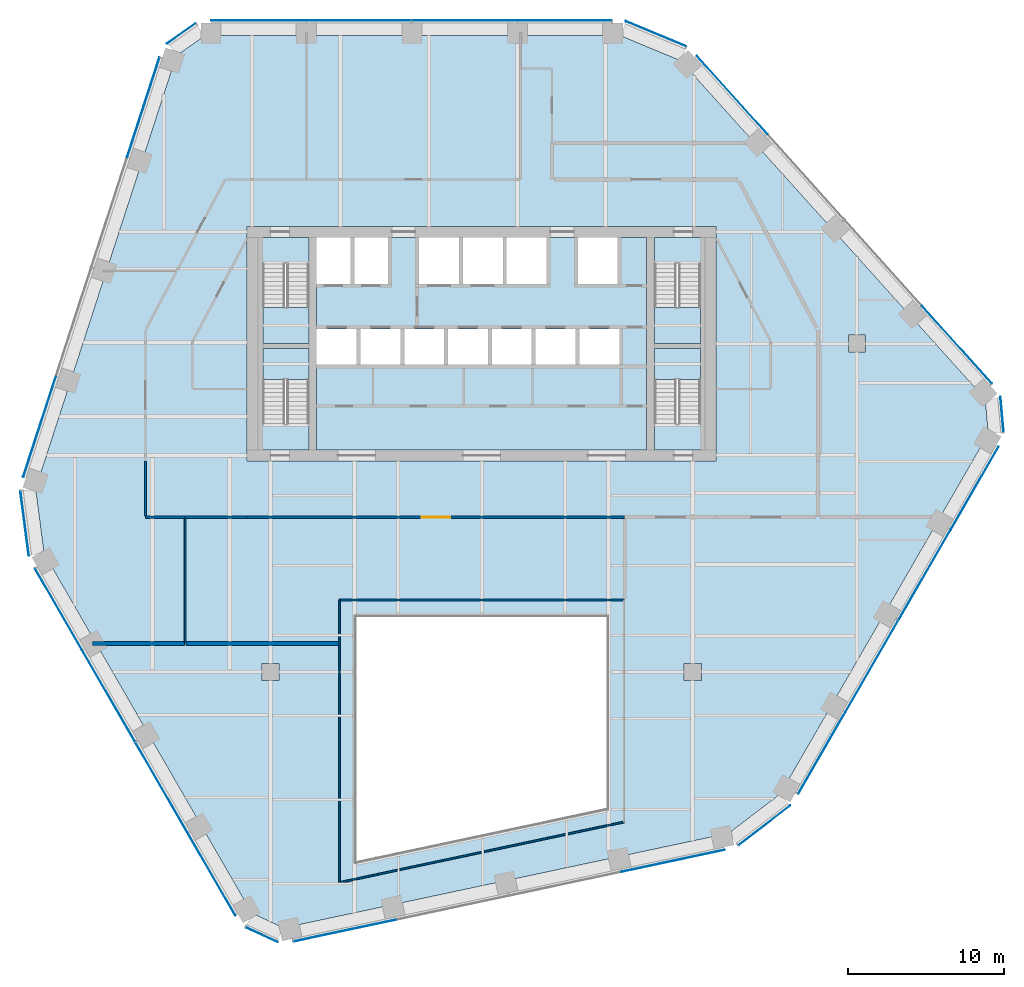
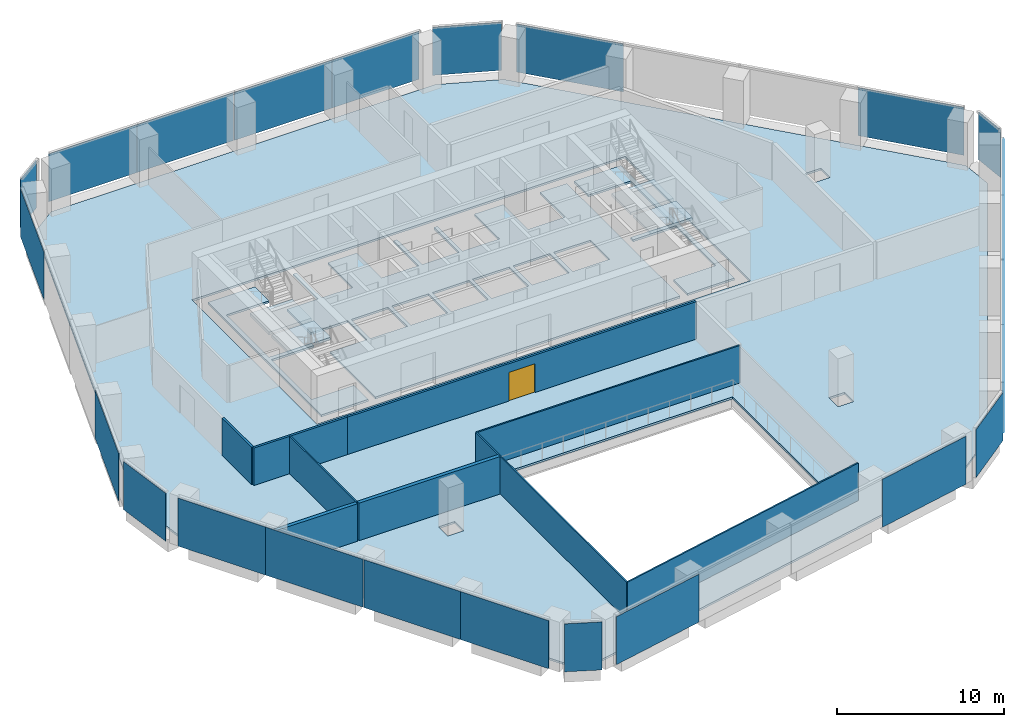
# One storey, part 10 of 16: 24 plates, 10 walls, 8 slabs, 1 door, 1 opening, 16 elements without a shape of their own.
"""IFC4 building model written with IfcOpenShell, lengths in metres."""

import ifcopenshell
import ifcopenshell.guid

model = None  # the IFC model being written
_history = None  # IfcOwnerHistory: only IFC2X3 demands one
_inside = {}  # id of a spatial element -> (the spatial element, [elements in it])
_under = {}  # id of a project, library or spatial element -> (it, [spatial elements below it])
_declared = {}  # id of a project -> (the project, [libraries it declares])
_typed = {}  # id of a type object -> (the type object, [elements of that type])
_made_of = {}  # id of a material, layer set ... -> (it, [elements and type objects made of it])


def new_model(schema):
    """Start an empty IFC model of exactly this schema.

    Asked for "IFC4X3", IfcOpenShell would pick the latest addendum, in which some entities
    have other attributes; the version numbers below select the first issue.
    IFC2X3 requires an IfcOwnerHistory on every rooted entity: one is made here for all.
    """
    global model, _history
    if schema == "IFC4X3":
        model = ifcopenshell.file(schema_version=(4, 3, 0, 0))
    else:
        model = ifcopenshell.file(schema=schema)
    _inside.clear()
    _under.clear()
    _declared.clear()
    _typed.clear()
    _made_of.clear()
    _history = None
    if model.schema == "IFC2X3":
        org = make("IfcOrganization", Name="unknown")
        user = make(
            "IfcPersonAndOrganization",
            ThePerson=make("IfcPerson", FamilyName="unknown"),
            TheOrganization=org,
        )
        app = make(
            "IfcApplication",
            ApplicationDeveloper=org,
            Version="unknown",
            ApplicationFullName="unknown",
            ApplicationIdentifier="unknown",
        )
        _history = make(
            "IfcOwnerHistory",
            OwningUser=user,
            OwningApplication=app,
            ChangeAction="ADDED",
            CreationDate=0,
        )
    return model


def make(cls, **values):
    """One entity of the class cls with the attributes given. An attribute that is None is left unset."""
    return model.create_entity(
        cls, **{name: value for name, value in values.items() if value is not None}
    )


def rooted(cls, **values):
    """An entity with a GlobalId (a new one), such as an element, a storey or a relation."""
    return make(cls, GlobalId=ifcopenshell.guid.new(), OwnerHistory=_history, **values)


def si_unit(unit_type, name, prefix=None):
    """IfcSIUnit, for example si_unit("LENGTHUNIT", "METRE", prefix="MILLI")."""
    return make("IfcSIUnit", UnitType=unit_type, Prefix=prefix, Name=name)


def assignment(units):
    """IfcUnitAssignment: the units of a project."""
    return None if units is None else make("IfcUnitAssignment", Units=units)


def point(xyz):
    """IfcCartesianPoint."""
    return None if xyz is None else make("IfcCartesianPoint", Coordinates=xyz)


def direction(xyz):
    """IfcDirection."""
    return None if xyz is None else make("IfcDirection", DirectionRatios=xyz)


def frame(location, z_axis=None, x_axis=None):
    """IfcAxis2Placement3D, a coordinate frame: its origin and axes. An axis left out is left unset."""
    return make(
        "IfcAxis2Placement3D",
        Location=point(location),
        Axis=direction(z_axis),
        RefDirection=direction(x_axis),
    )


def frame_2d(location, x_axis=None):
    """IfcAxis2Placement2D, a coordinate frame in the plane: its origin and x axis."""
    return make(
        "IfcAxis2Placement2D", Location=point(location), RefDirection=direction(x_axis)
    )


def origin():
    """The frame at (0, 0, 0) with its axes left unset."""
    return frame((0.0, 0.0, 0.0))


def origin_2d():
    """The frame at (0, 0) in the plane with its x axis left unset."""
    return frame_2d((0.0, 0.0))


def place(relative_to, where):
    """IfcLocalPlacement: puts the frame where relative to a parent placement (None: the world)."""
    return make(
        "IfcLocalPlacement", PlacementRelTo=relative_to, RelativePlacement=where
    )


def context(
    kind, dimensions, precision=None, world=None, true_north=None, identifier=None
):
    """IfcGeometricRepresentationContext, for example the 3D "Model" context."""
    return make(
        "IfcGeometricRepresentationContext",
        ContextIdentifier=identifier,
        ContextType=kind,
        CoordinateSpaceDimension=dimensions,
        Precision=precision,
        WorldCoordinateSystem=world,
        TrueNorth=true_north,
    )


def subcontext(parent, identifier, kind, view, scale=None):
    """IfcGeometricRepresentationSubContext, for example "Body" below "Model"."""
    return make(
        "IfcGeometricRepresentationSubContext",
        ContextIdentifier=identifier,
        ContextType=kind,
        ParentContext=parent,
        TargetScale=scale,
        TargetView=view,
    )


def project(units=None, contexts=None):
    """IfcProject with its units and contexts."""
    return rooted(
        "IfcProject",
        Name="project",
        RepresentationContexts=contexts,
        UnitsInContext=assignment(units),
    )


def spatial(cls, under=None, at=None, **own):
    """A site, building, storey or space (cls), placed at a placement, below another one or the project."""
    s = rooted(cls, ObjectPlacement=at, **own)
    if under is not None:
        _under.setdefault(under.id(), (under, []))[1].append(s)
    return s


def polyline(points):
    """IfcPolyline through the points."""
    return make("IfcPolyline", Points=[point(p) for p in points])


def profile(cls, at=None, kind="AREA", **sizes):
    """A parametric profile (cls). Its sizes go by their IFC names, for example OverallWidth=200.0."""
    return make(cls, ProfileType=kind, Position=at, **sizes)


def rectangle(**sizes):
    """IfcRectangleProfileDef."""
    return profile("IfcRectangleProfileDef", **sizes)


def outline(outer, holes=None, kind="AREA"):
    """IfcArbitraryClosedProfileDef: a profile drawn as a closed curve; with holes, ...WithVoids."""
    if holes is None:
        return make("IfcArbitraryClosedProfileDef", ProfileType=kind, OuterCurve=outer)
    return make(
        "IfcArbitraryProfileDefWithVoids",
        ProfileType=kind,
        OuterCurve=outer,
        InnerCurves=holes,
    )


def extrude(swept, where, along, depth):
    """IfcExtrudedAreaSolid: the profile swept, set in the frame where, extruded along a direction by depth."""
    return make(
        "IfcExtrudedAreaSolid",
        SweptArea=swept,
        Position=where,
        ExtrudedDirection=direction(along),
        Depth=depth,
    )


def shape(context_of_items, identifier, shape_type, items):
    """IfcShapeRepresentation: the items that make up one representation, for example the "Body"."""
    return make(
        "IfcShapeRepresentation",
        ContextOfItems=context_of_items,
        RepresentationIdentifier=identifier,
        RepresentationType=shape_type,
        Items=items,
    )


def material(Name=None, Category=None):
    """IfcMaterial."""
    return make("IfcMaterial", Name=Name, Category=Category)


def layer(
    of_material, thickness, ventilated=None, Name=None, Category=None, Priority=None
):
    """IfcMaterialLayer: one layer of a wall or slab, of a material (None: an air gap)."""
    return make(
        "IfcMaterialLayer",
        Material=of_material,
        LayerThickness=thickness,
        IsVentilated=ventilated,
        Name=Name,
        Category=Category,
        Priority=Priority,
    )


def layer_set(layers, Name=None):
    """IfcMaterialLayerSet."""
    return make("IfcMaterialLayerSet", MaterialLayers=layers, LayerSetName=Name)


def made_of(thing, what):
    """Note that an element or type object is made of a material, layer set ...; save() writes the relation."""
    if what is not None:
        _made_of.setdefault(what.id(), (what, []))[1].append(thing)
    return thing


def type_object(cls, material=None, **own):
    """A type object (cls), such as IfcWallType, which elements share."""
    return made_of(rooted(cls, **own), material)


def element(
    cls,
    number,
    at=None,
    inside=None,
    cuts=None,
    type_object=None,
    material=None,
    context=None,
    identifier="Body",
    shape_type=None,
    held_by="IfcProductDefinitionShape",
    body=None,
    shapes=None,
    **own,
):
    """One element of the class cls, such as IfcWall. Its Tag is "e" and its number.

    at: its placement. inside: the storey or other place that contains it. cuts: it is an
    opening in that element (IfcRelVoidsElement). A single representation is given by context,
    identifier, shape_type and body (its items); several are given by shapes. held_by: the class
    of the entity that holds the representations. save() writes the other relations.
    """
    e = rooted(cls, Tag="e%d" % number, ObjectPlacement=at, **own)
    if body is not None:
        shapes = [shape(context, identifier, shape_type, body)]
    if shapes is not None:
        e.Representation = make(held_by, Representations=shapes)
    if inside is not None:
        _inside.setdefault(inside.id(), (inside, []))[1].append(e)
    if cuts is not None:
        rooted(
            "IfcRelVoidsElement", RelatingBuildingElement=cuts, RelatedOpeningElement=e
        )
    if type_object is not None:
        _typed.setdefault(type_object.id(), (type_object, []))[1].append(e)
    return made_of(e, material)


def fill(opening, filler):
    """IfcRelFillsElement: the door or window that sits in an opening."""
    return rooted(
        "IfcRelFillsElement",
        RelatingOpeningElement=opening,
        RelatedBuildingElement=filler,
    )


def aggregate(whole, parts):
    """IfcRelAggregates: a whole, such as a stair, and the parts it consists of."""
    return rooted("IfcRelAggregates", RelatingObject=whole, RelatedObjects=parts)


def save(model, path):
    """Write the relations noted so far, then the file.

    IfcRelAggregates (storeys below a building ...), IfcRelContainedInSpatialStructure (elements
    in a storey), IfcRelDefinesByType, IfcRelAssociatesMaterial and IfcRelDeclares: one each for
    every whole, place, type object, material and project.
    """
    for whole, parts in _under.values():
        aggregate(whole, parts)
    for where, things in _inside.values():
        rooted(
            "IfcRelContainedInSpatialStructure",
            RelatedElements=things,
            RelatingStructure=where,
        )
    for kind, things in _typed.values():
        rooted("IfcRelDefinesByType", RelatedObjects=things, RelatingType=kind)
    for what, things in _made_of.values():
        rooted("IfcRelAssociatesMaterial", RelatedObjects=things, RelatingMaterial=what)
    for by, libraries in _declared.values():
        rooted("IfcRelDeclares", RelatingContext=by, RelatedDefinitions=libraries)
    model.write(path)


model = new_model("IFC4")

# Units and contexts
model_context = context("Model", 3, precision=1e-05, world=origin(), true_north=direction((0.0, 1.0)))
body_context = subcontext(model_context, "Body", "Model", "MODEL_VIEW")
ifc_project = project(units=[si_unit("LENGTHUNIT", "METRE"), si_unit("AREAUNIT", "SQUARE_METRE"), si_unit("VOLUMEUNIT", "CUBIC_METRE"), si_unit("PLANEANGLEUNIT", "RADIAN"), si_unit("MASSUNIT", "GRAM", prefix="KILO")], contexts=[model_context])

# Site, building, storey
site_placement = place(None, origin())
site = spatial("IfcSite", under=ifc_project, at=site_placement, CompositionType="ELEMENT")
building_placement = place(site_placement, origin())
building = spatial("IfcBuilding", under=site, at=building_placement, Name="Isthmus Gate Tower", CompositionType="ELEMENT")
storey_placement = place(building_placement, frame((0.0, 0.0, 170.800048828125)))
storey = spatial("IfcBuildingStorey", under=building, at=storey_placement, Name="L42", CompositionType="ELEMENT", Elevation=170.800048828125)

# Slabs
ifc_material_1 = material(Name="Concrete f'c 40 MPa", Category="concrete")
ifc_layer_1 = layer(ifc_material_1, 0.14990234375)
ifc_layer_set_1 = layer_set([ifc_layer_1], Name="COMPOSITE FLOOR SLAB 150")
slab_type_1 = type_object("IfcSlabType", Name="COMPOSITE FLOOR SLAB 150", PredefinedType="FLOOR", material=ifc_layer_set_1)
slab_1_placement = place(storey_placement, frame((0.0, 0.0, -0.150146484375)))
element("IfcSlab", 1, at=slab_1_placement, inside=storey, type_object=slab_type_1, Name="str-slab-L42-1", PredefinedType="FLOOR", context=body_context, shape_type="SweptSolid", body=[
    extrude(outline(polyline([(12.72802734375, 25.599365234375), (32.21044921875, 3.9619140625), (32.410400390625, 1.736083984375), (19.116455078125, -21.289306640625), (15.8056640625, -23.822509765625), (-12.674072265625, -29.876220703125), (-14.701416015625, -28.936279296875), (-27.995361328125, -5.91064453125), (-28.53369140625, -1.77685546875), (-19.536376953125, 25.9140625), (-17.708740234375, 27.199951171875), (8.87890625, 27.199951171875), (12.72802734375, 25.599365234375)]), holes=[polyline([(-8.0, -10.0), (-8.0, -25.611083984375), (8.0, -22.210205078125), (8.0, -10.0), (-8.0, -10.0)]), polyline([(-14.050048828125, -12.949951171875), (-14.050048828125, -14.050048828125), (-12.949951171875, -14.050048828125), (-12.949951171875, -12.949951171875), (-14.050048828125, -12.949951171875)]), polyline([(14.050048828125, -12.949951171875), (12.949951171875, -12.949951171875), (12.949951171875, -14.050048828125), (14.050048828125, -14.050048828125), (14.050048828125, -12.949951171875)]), polyline([(-15.0, 15.0), (-15.0, 0.0), (15.0, 0.0), (15.0, 15.0), (-15.0, 15.0)]), polyline([(24.550048828125, 6.949951171875), (24.550048828125, 8.050048828125), (23.449951171875, 8.050048828125), (23.449951171875, 6.949951171875), (24.550048828125, 6.949951171875)])]), origin(), (0.0, 0.0, 1.0), 0.150146484375),
])
ifc_material_2 = material(Name="Concrete f'c 40 MPa", Category="concrete")
ifc_layer_2 = layer(ifc_material_2, 0.14990234375)
ifc_layer_set_2 = layer_set([ifc_layer_2], Name="CORE FLOOR SLAB 150")
slab_type_2 = type_object("IfcSlabType", Name="CORE FLOOR SLAB 150", PredefinedType="FLOOR", material=ifc_layer_set_2)
slab_2_placement = place(storey_placement, frame((0.0, 0.0, -0.150146484375)))
element("IfcSlab", 2, at=slab_2_placement, inside=storey, type_object=slab_type_2, Name="L42 core floor", PredefinedType="FLOOR", context=body_context, shape_type="SweptSolid", body=[
    extrude(outline(polyline([(-11.050048828125, 0.699951171875), (-11.050048828125, 2.402099609375), (-14.0, 2.402099609375), (-14.0, 7.199951171875), (-11.050048828125, 7.199951171875), (-11.050048828125, 7.5), (-14.0, 7.5), (-14.0, 12.597900390625), (-11.050048828125, 12.597900390625), (-11.050048828125, 14.300048828125), (-14.300048828125, 14.300048828125), (-14.300048828125, 0.699951171875), (-11.050048828125, 0.699951171875)])), origin(), (0.0, 0.0, 1.0), 0.150146484375),
])
slab_3_placement = place(storey_placement, frame((0.0, 0.0, -0.150146484375)))
element("IfcSlab", 3, at=slab_3_placement, inside=storey, type_object=slab_type_2, Name="L42 core floor", PredefinedType="FLOOR", context=body_context, shape_type="SweptSolid", body=[
    extrude(outline(polyline([(10.550048828125, 14.300048828125), (8.699951171875, 14.300048828125), (8.699951171875, 11.300048828125), (6.14990234375, 11.300048828125), (6.14990234375, 14.300048828125), (4.14990234375, 14.300048828125), (4.14990234375, 11.300048828125), (1.60009765625, 11.300048828125), (1.60009765625, 14.300048828125), (1.35009765625, 14.300048828125), (1.35009765625, 11.300048828125), (-1.199951171875, 11.300048828125), (-1.199951171875, 14.300048828125), (-1.449951171875, 14.300048828125), (-1.449951171875, 11.300048828125), (-4.0, 11.300048828125), (-4.0, 14.300048828125), (-6.0, 14.300048828125), (-6.0, 11.300048828125), (-8.14990234375, 11.300048828125), (-8.14990234375, 14.300048828125), (-8.39990234375, 14.300048828125), (-8.39990234375, 11.300048828125), (-10.550048828125, 11.300048828125), (-10.550048828125, 8.449951171875), (-8.0, 8.449951171875), (-8.0, 6.14990234375), (-10.550048828125, 6.14990234375), (-10.550048828125, 0.699951171875), (10.550048828125, 0.699951171875), (10.550048828125, 14.300048828125)]), holes=[polyline([(-5.199951171875, 8.449951171875), (-5.199951171875, 6.14990234375), (-7.75, 6.14990234375), (-7.75, 8.449951171875), (-5.199951171875, 8.449951171875)]), polyline([(-2.39990234375, 8.449951171875), (-2.39990234375, 6.14990234375), (-4.949951171875, 6.14990234375), (-4.949951171875, 8.449951171875), (-2.39990234375, 8.449951171875)]), polyline([(0.39990234375, 8.449951171875), (0.39990234375, 6.14990234375), (-2.14990234375, 6.14990234375), (-2.14990234375, 8.449951171875), (0.39990234375, 8.449951171875)]), polyline([(3.199951171875, 8.449951171875), (3.199951171875, 6.14990234375), (0.64990234375, 6.14990234375), (0.64990234375, 8.449951171875), (3.199951171875, 8.449951171875)]), polyline([(6.0, 8.449951171875), (6.0, 6.14990234375), (3.449951171875, 6.14990234375), (3.449951171875, 8.449951171875), (6.0, 8.449951171875)]), polyline([(8.800048828125, 8.449951171875), (8.800048828125, 6.14990234375), (6.25, 6.14990234375), (6.25, 8.449951171875), (8.800048828125, 8.449951171875)])]), origin(), (0.0, 0.0, 1.0), 0.150146484375),
])
slab_4_placement = place(storey_placement, frame((0.0, 0.0, -0.150146484375)))
element("IfcSlab", 4, at=slab_4_placement, inside=storey, type_object=slab_type_2, Name="L42 core floor", PredefinedType="FLOOR", context=body_context, shape_type="SweptSolid", body=[
    extrude(outline(polyline([(11.050048828125, 14.300048828125), (11.050048828125, 12.597900390625), (14.0, 12.597900390625), (14.0, 7.5), (11.050048828125, 7.5), (11.050048828125, 7.199951171875), (14.0, 7.199951171875), (14.0, 2.402099609375), (11.050048828125, 2.402099609375), (11.050048828125, 0.699951171875), (14.300048828125, 0.699951171875), (14.300048828125, 14.300048828125), (11.050048828125, 14.300048828125)])), origin(), (0.0, 0.0, 1.0), 0.150146484375),
])

# Curtain wall, plates
ifc_material_3 = material(Name="Aluminium, pale champagne anodised", Category="aluminium")
ifc_layer_3 = layer(ifc_material_3, 0.199951171875)
ifc_layer_set_3 = layer_set([ifc_layer_3], Name="CW-1 UNITISED CURTAIN WALL 200 DEEP")
curtain_wall_type = type_object("IfcCurtainWallType", Name="CW-1 UNITISED CURTAIN WALL 200 DEEP", PredefinedType="NOTDEFINED", material=ifc_layer_set_3)
curtain_wall_1_placement = place(storey_placement, origin())
curtain_wall_1 = element("IfcCurtainWall", 5, at=curtain_wall_1_placement, inside=storey, type_object=curtain_wall_type, Name="CW-1 N L42", PredefinedType="NOTDEFINED")
ifc_material_4 = material(Name="Laminated low-iron glass, pale blue tint", Category="glass")
ifc_layer_4 = layer(ifc_material_4, 0.035888671875)
ifc_layer_set_4 = layer_set([ifc_layer_4], Name="CW-1 CLEAR GLASS LITE 36")
plate_type = type_object("IfcPlateType", Name="CW-1 CLEAR GLASS LITE 36", PredefinedType="CURTAIN_PANEL", material=ifc_layer_set_4)
plate_1_placement = place(storey_placement, frame((5.30859375, 28.181884765625, 0.0), z_axis=(0.0, 0.0, 1.0), x_axis=(-1.0, 0.0, 0.0)))
plate_1 = element("IfcPlate", 6, at=plate_1_placement, type_object=plate_type, Name="CW-1 glass lite", PredefinedType="CURTAIN_PANEL", context=body_context, shape_type="SweptSolid", body=[
    extrude(rectangle(XDim=6.0400390625, YDim=0.035888671875, at=origin_2d()), origin(), (0.0, 0.0, 1.0), 3.510009765625),
])
plate_2_placement = place(storey_placement, frame((-1.086669921875, 28.181884765625, 0.0), z_axis=(0.0, 0.0, 1.0), x_axis=(-1.0, 0.0, 0.0)))
plate_2 = element("IfcPlate", 7, at=plate_2_placement, type_object=plate_type, Name="CW-1 glass lite", PredefinedType="CURTAIN_PANEL", context=body_context, shape_type="SweptSolid", body=[
    extrude(rectangle(XDim=6.750244140625, YDim=0.035888671875, at=origin_2d()), origin(), (0.0, 0.0, 1.0), 3.510009765625),
])
plate_3_placement = place(storey_placement, frame((-7.86669921875, 28.181884765625, 0.0), z_axis=(0.0, 0.0, 1.0), x_axis=(-1.0, 0.0, 0.0)))
plate_3 = element("IfcPlate", 8, at=plate_3_placement, type_object=plate_type, Name="CW-1 glass lite", PredefinedType="CURTAIN_PANEL", context=body_context, shape_type="SweptSolid", body=[
    extrude(rectangle(XDim=6.690185546875, YDim=0.035888671875, at=origin_2d()), origin(), (0.0, 0.0, 1.0), 3.510009765625),
])
plate_4_placement = place(storey_placement, frame((-14.261962890625, 28.181884765625, 0.0), z_axis=(0.0, 0.0, 1.0), x_axis=(-1.0, 0.0, 0.0)))
plate_4 = element("IfcPlate", 9, at=plate_4_placement, type_object=plate_type, Name="CW-1 glass lite", PredefinedType="CURTAIN_PANEL", context=body_context, shape_type="SweptSolid", body=[
    extrude(rectangle(XDim=6.10009765625, YDim=0.035888671875, at=origin_2d()), origin(), (0.0, 0.0, 1.0), 3.510009765625),
])
aggregate(curtain_wall_1, [plate_1, plate_2, plate_3, plate_4])

# Curtain wall, plate
curtain_wall_2_placement = place(storey_placement, origin())
curtain_wall_2 = element("IfcCurtainWall", 10, at=curtain_wall_2_placement, inside=storey, type_object=curtain_wall_type, Name="CW-1 N-NW L42", PredefinedType="NOTDEFINED")
plate_5_placement = place(storey_placement, frame((-19.2119140625, 27.343017578125, 0.0), z_axis=(0.0, 0.0, 1.0), x_axis=(-0.81785959165, -0.57541783805, 0.0)))
plate_5 = element("IfcPlate", 11, at=plate_5_placement, type_object=plate_type, Name="CW-1 glass lite", PredefinedType="CURTAIN_PANEL", context=body_context, shape_type="SweptSolid", body=[
    extrude(rectangle(XDim=2.258544921875, YDim=0.035888671875, at=origin_2d()), origin(), (0.0, 0.0, 1.0), 3.510009765625),
])
aggregate(curtain_wall_2, [plate_5])

# Curtain wall, plates
curtain_wall_3_placement = place(storey_placement, origin())
curtain_wall_3 = element("IfcCurtainWall", 12, at=curtain_wall_3_placement, inside=storey, type_object=curtain_wall_type, Name="CW-1 NW L42", PredefinedType="NOTDEFINED")
plate_6_placement = place(storey_placement, frame((-21.6396484375, 22.619140625, 0.0), z_axis=(0.0, 0.0, 1.0), x_axis=(-0.309016994375, -0.951056516295, 0.0)))
plate_6 = element("IfcPlate", 13, at=plate_6_placement, type_object=plate_type, Name="CW-1 glass lite", PredefinedType="CURTAIN_PANEL", context=body_context, shape_type="SweptSolid", body=[
    extrude(rectangle(XDim=6.680908203125, YDim=0.035888671875, at=origin_2d()), origin(), (0.0, 0.0, 1.0), 3.510009765625),
])
plate_7_placement = place(storey_placement, frame((-28.281005859375, 2.178466796875, 0.0), z_axis=(0.0, 0.0, 1.0), x_axis=(-0.309016994375, -0.951056516295, 0.0)))
plate_7 = element("IfcPlate", 14, at=plate_7_placement, type_object=plate_type, Name="CW-1 glass lite", PredefinedType="CURTAIN_PANEL", context=body_context, shape_type="SweptSolid", body=[
    extrude(rectangle(XDim=6.74072265625, YDim=0.035888671875, at=origin_2d()), origin(), (0.0, 0.0, 1.0), 3.510009765625),
])
aggregate(curtain_wall_3, [plate_6, plate_7])

# Curtain wall, plate
curtain_wall_4_placement = place(storey_placement, origin())
curtain_wall_4 = element("IfcCurtainWall", 15, at=curtain_wall_4_placement, inside=storey, type_object=curtain_wall_type, Name="CW-1 NW-SW L42", PredefinedType="NOTDEFINED")
plate_8_placement = place(storey_placement, frame((-29.234619140625, -3.9990234375, 0.0), z_axis=(0.0, 0.0, 1.0), x_axis=(0.129164534, -0.991623175988, 0.0)))
plate_8 = element("IfcPlate", 16, at=plate_8_placement, type_object=plate_type, Name="CW-1 glass lite", PredefinedType="CURTAIN_PANEL", context=body_context, shape_type="SweptSolid", body=[
    extrude(rectangle(XDim=4.181396484375, YDim=0.035888671875, at=origin_2d()), origin(), (0.0, 0.0, 1.0), 3.510009765625),
])
aggregate(curtain_wall_4, [plate_8])

# Curtain wall, plates
curtain_wall_5_placement = place(storey_placement, origin())
curtain_wall_5 = element("IfcCurtainWall", 17, at=curtain_wall_5_placement, inside=storey, type_object=curtain_wall_type, Name="CW-1 SW L42", PredefinedType="NOTDEFINED")
plate_9_placement = place(storey_placement, frame((-27.060546875, -9.49365234375, 0.0), z_axis=(0.0, 0.0, 1.0), x_axis=(0.5, -0.866025403784, 0.0)))
plate_9 = element("IfcPlate", 18, at=plate_9_placement, type_object=plate_type, Name="CW-1 glass lite", PredefinedType="CURTAIN_PANEL", context=body_context, shape_type="SweptSolid", body=[
    extrude(rectangle(XDim=6.0400390625, YDim=0.035888671875, at=origin_2d()), origin(), (0.0, 0.0, 1.0), 3.510009765625),
])
plate_10_placement = place(storey_placement, frame((-23.863037109375, -15.031982421875, 0.0), z_axis=(0.0, 0.0, 1.0), x_axis=(0.5, -0.866025403784, 0.0)))
plate_10 = element("IfcPlate", 19, at=plate_10_placement, type_object=plate_type, Name="CW-1 glass lite", PredefinedType="CURTAIN_PANEL", context=body_context, shape_type="SweptSolid", body=[
    extrude(rectangle(XDim=6.750244140625, YDim=0.035888671875, at=origin_2d()), origin(), (0.0, 0.0, 1.0), 3.510009765625),
])
plate_11_placement = place(storey_placement, frame((-20.472900390625, -20.90380859375, 0.0), z_axis=(0.0, 0.0, 1.0), x_axis=(0.5, -0.866025403784, 0.0)))
plate_11 = element("IfcPlate", 20, at=plate_11_placement, type_object=plate_type, Name="CW-1 glass lite", PredefinedType="CURTAIN_PANEL", context=body_context, shape_type="SweptSolid", body=[
    extrude(rectangle(XDim=6.690185546875, YDim=0.035888671875, at=origin_2d()), origin(), (0.0, 0.0, 1.0), 3.510009765625),
])
plate_12_placement = place(storey_placement, frame((-17.275390625, -26.442138671875, 0.0), z_axis=(0.0, 0.0, 1.0), x_axis=(0.5, -0.866025403784, 0.0)))
plate_12 = element("IfcPlate", 21, at=plate_12_placement, type_object=plate_type, Name="CW-1 glass lite", PredefinedType="CURTAIN_PANEL", context=body_context, shape_type="SweptSolid", body=[
    extrude(rectangle(XDim=6.10009765625, YDim=0.035888671875, at=origin_2d()), origin(), (0.0, 0.0, 1.0), 3.510009765625),
])
aggregate(curtain_wall_5, [plate_9, plate_10, plate_11, plate_12])

# Curtain wall, plate
curtain_wall_6_placement = place(storey_placement, origin())
curtain_wall_6 = element("IfcCurtainWall", 22, at=curtain_wall_6_placement, inside=storey, type_object=curtain_wall_type, Name="CW-1 SW-S L42", PredefinedType="NOTDEFINED")
plate_13_placement = place(storey_placement, frame((-14.07373046875, -30.3095703125, 0.0), z_axis=(0.0, 0.0, 1.0), x_axis=(0.907256261367, -0.420578264073, 0.0)))
plate_13 = element("IfcPlate", 23, at=plate_13_placement, type_object=plate_type, Name="CW-1 glass lite", PredefinedType="CURTAIN_PANEL", context=body_context, shape_type="SweptSolid", body=[
    extrude(rectangle(XDim=2.258544921875, YDim=0.035888671875, at=origin_2d()), origin(), (0.0, 0.0, 1.0), 3.510009765625),
])
aggregate(curtain_wall_6, [plate_13])

# Curtain wall, plates
curtain_wall_7_placement = place(storey_placement, origin())
curtain_wall_7 = element("IfcCurtainWall", 24, at=curtain_wall_7_placement, inside=storey, type_object=curtain_wall_type, Name="CW-1 S L42", PredefinedType="NOTDEFINED")
plate_14_placement = place(storey_placement, frame((-8.768798828125, -30.050048828125, 0.0), z_axis=(0.0, 0.0, 1.0), x_axis=(0.978147600734, 0.207911690818, 0.0)))
plate_14 = element("IfcPlate", 25, at=plate_14_placement, type_object=plate_type, Name="CW-1 glass lite", PredefinedType="CURTAIN_PANEL", context=body_context, shape_type="SweptSolid", body=[
    extrude(rectangle(XDim=6.680908203125, YDim=0.035888671875, at=origin_2d()), origin(), (0.0, 0.0, 1.0), 3.510009765625),
])
plate_15_placement = place(storey_placement, frame((12.25390625, -25.58154296875, 0.0), z_axis=(0.0, 0.0, 1.0), x_axis=(0.978147600734, 0.207911690818, 0.0)))
plate_15 = element("IfcPlate", 26, at=plate_15_placement, type_object=plate_type, Name="CW-1 glass lite", PredefinedType="CURTAIN_PANEL", context=body_context, shape_type="SweptSolid", body=[
    extrude(rectangle(XDim=6.74072265625, YDim=0.035888671875, at=origin_2d()), origin(), (0.0, 0.0, 1.0), 3.510009765625),
])
aggregate(curtain_wall_7, [plate_14, plate_15])

# Curtain wall, plate
curtain_wall_8_placement = place(storey_placement, origin())
curtain_wall_8 = element("IfcCurtainWall", 27, at=curtain_wall_8_placement, inside=storey, type_object=curtain_wall_type, Name="CW-1 S-SE L42", PredefinedType="NOTDEFINED")
plate_16_placement = place(storey_placement, frame((18.08056640625, -23.318359375, 0.0), z_axis=(0.0, 0.0, 1.0), x_axis=(0.794188594387, 0.607671355706, 0.0)))
plate_16 = element("IfcPlate", 28, at=plate_16_placement, type_object=plate_type, Name="CW-1 glass lite", PredefinedType="CURTAIN_PANEL", context=body_context, shape_type="SweptSolid", body=[
    extrude(rectangle(XDim=4.181396484375, YDim=0.035888671875, at=origin_2d()), origin(), (0.0, 0.0, 1.0), 3.510009765625),
])
aggregate(curtain_wall_8, [plate_16])

# Curtain wall, plates
curtain_wall_9_placement = place(storey_placement, origin())
curtain_wall_9 = element("IfcCurtainWall", 29, at=curtain_wall_9_placement, inside=storey, type_object=curtain_wall_type, Name="CW-1 SE L42", PredefinedType="NOTDEFINED")
plate_17_placement = place(storey_placement, frame((21.752197265625, -18.688232421875, 0.0), z_axis=(0.0, 0.0, 1.0), x_axis=(0.5, 0.866025403784, 0.0)))
plate_17 = element("IfcPlate", 30, at=plate_17_placement, type_object=plate_type, Name="CW-1 glass lite", PredefinedType="CURTAIN_PANEL", context=body_context, shape_type="SweptSolid", body=[
    extrude(rectangle(XDim=6.0400390625, YDim=0.035888671875, at=origin_2d()), origin(), (0.0, 0.0, 1.0), 3.510009765625),
])
plate_18_placement = place(storey_placement, frame((24.94970703125, -13.14990234375, 0.0), z_axis=(0.0, 0.0, 1.0), x_axis=(0.5, 0.866025403784, 0.0)))
plate_18 = element("IfcPlate", 31, at=plate_18_placement, type_object=plate_type, Name="CW-1 glass lite", PredefinedType="CURTAIN_PANEL", context=body_context, shape_type="SweptSolid", body=[
    extrude(rectangle(XDim=6.750244140625, YDim=0.035888671875, at=origin_2d()), origin(), (0.0, 0.0, 1.0), 3.510009765625),
])
plate_19_placement = place(storey_placement, frame((28.339599609375, -7.278076171875, 0.0), z_axis=(0.0, 0.0, 1.0), x_axis=(0.5, 0.866025403784, 0.0)))
plate_19 = element("IfcPlate", 32, at=plate_19_placement, type_object=plate_type, Name="CW-1 glass lite", PredefinedType="CURTAIN_PANEL", context=body_context, shape_type="SweptSolid", body=[
    extrude(rectangle(XDim=6.690185546875, YDim=0.035888671875, at=origin_2d()), origin(), (0.0, 0.0, 1.0), 3.510009765625),
])
plate_20_placement = place(storey_placement, frame((31.537353515625, -1.73974609375, 0.0), z_axis=(0.0, 0.0, 1.0), x_axis=(0.5, 0.866025403784, 0.0)))
plate_20 = element("IfcPlate", 33, at=plate_20_placement, type_object=plate_type, Name="CW-1 glass lite", PredefinedType="CURTAIN_PANEL", context=body_context, shape_type="SweptSolid", body=[
    extrude(rectangle(XDim=6.10009765625, YDim=0.035888671875, at=origin_2d()), origin(), (0.0, 0.0, 1.0), 3.510009765625),
])
aggregate(curtain_wall_9, [plate_17, plate_18, plate_19, plate_20])

# Curtain wall, plate
curtain_wall_10_placement = place(storey_placement, origin())
curtain_wall_10 = element("IfcCurtainWall", 34, at=curtain_wall_10_placement, inside=storey, type_object=curtain_wall_type, Name="CW-1 SE-NE L42", PredefinedType="NOTDEFINED")
plate_21_placement = place(storey_placement, frame((33.285888671875, 2.966552734375, 0.0), z_axis=(0.0, 0.0, 1.0), x_axis=(-0.089396669717, 0.995996102123, 0.0)))
plate_21 = element("IfcPlate", 35, at=plate_21_placement, type_object=plate_type, Name="CW-1 glass lite", PredefinedType="CURTAIN_PANEL", context=body_context, shape_type="SweptSolid", body=[
    extrude(rectangle(XDim=2.258544921875, YDim=0.035888671875, at=origin_2d()), origin(), (0.0, 0.0, 1.0), 3.510009765625),
])
aggregate(curtain_wall_10, [plate_21])

# Curtain wall, plates
curtain_wall_11_placement = place(storey_placement, origin())
curtain_wall_11 = element("IfcCurtainWall", 36, at=curtain_wall_11_placement, inside=storey, type_object=curtain_wall_type, Name="CW-1 NE L42", PredefinedType="NOTDEFINED")
plate_22_placement = place(storey_placement, frame((30.408447265625, 7.430908203125, 0.0), z_axis=(0.0, 0.0, 1.0), x_axis=(-0.669130606359, 0.743144825477, 0.0)))
plate_22 = element("IfcPlate", 37, at=plate_22_placement, type_object=plate_type, Name="CW-1 glass lite", PredefinedType="CURTAIN_PANEL", context=body_context, shape_type="SweptSolid", body=[
    extrude(rectangle(XDim=6.680908203125, YDim=0.035888671875, at=origin_2d()), origin(), (0.0, 0.0, 1.0), 3.510009765625),
])
plate_23_placement = place(storey_placement, frame((16.02734375, 23.40283203125, 0.0), z_axis=(0.0, 0.0, 1.0), x_axis=(-0.669130606359, 0.743144825477, 0.0)))
plate_23 = element("IfcPlate", 38, at=plate_23_placement, type_object=plate_type, Name="CW-1 glass lite", PredefinedType="CURTAIN_PANEL", context=body_context, shape_type="SweptSolid", body=[
    extrude(rectangle(XDim=6.74072265625, YDim=0.035888671875, at=origin_2d()), origin(), (0.0, 0.0, 1.0), 3.510009765625),
])
aggregate(curtain_wall_11, [plate_22, plate_23])

# Curtain wall, plate
curtain_wall_12_placement = place(storey_placement, origin())
curtain_wall_12 = element("IfcCurtainWall", 39, at=curtain_wall_12_placement, inside=storey, type_object=curtain_wall_type, Name="CW-1 NE-N L42", PredefinedType="NOTDEFINED")
plate_24_placement = place(storey_placement, frame((11.154052734375, 27.3173828125, 0.0), z_axis=(0.0, 0.0, 1.0), x_axis=(-0.923353128387, 0.383951820282, 0.0)))
plate_24 = element("IfcPlate", 40, at=plate_24_placement, type_object=plate_type, Name="CW-1 glass lite", PredefinedType="CURTAIN_PANEL", context=body_context, shape_type="SweptSolid", body=[
    extrude(rectangle(XDim=4.181396484375, YDim=0.035888671875, at=origin_2d()), origin(), (0.0, 0.0, 1.0), 3.510009765625),
])
aggregate(curtain_wall_12, [plate_24])

# Stair, slab
ifc_material_5 = material(Name="Concrete f'c 40 MPa", Category="concrete")
stair_type = type_object("IfcStairType", Name="CORE STAIR 22 RISERS", PredefinedType="HALF_TURN_STAIR", material=ifc_material_5)
stair_1_placement = place(storey_placement, origin())
stair_1 = element("IfcStair", 41, at=stair_1_placement, inside=storey, type_object=stair_type, Name="L42 Exit Stair 1", PredefinedType="HALF_TURN_STAIR")
ifc_material_6 = material(Name="Concrete f'c 40 MPa", Category="concrete")
ifc_layer_5 = layer(ifc_material_6, 0.199951171875)
ifc_layer_set_5 = layer_set([ifc_layer_5])
slab_type_3 = type_object("IfcSlabType", Name="STAIR LANDING RC 200", PredefinedType="LANDING", material=ifc_layer_set_5)
slab_5_placement = place(storey_placement, frame((0.0, 0.0, 1.625)))
slab_5 = element("IfcSlab", 42, at=slab_5_placement, type_object=slab_type_3, Name="ST1 landing 1", PredefinedType="LANDING", context=body_context, shape_type="SweptSolid", body=[
    extrude(outline(polyline([(-14.0, 9.800048828125), (-14.0, 7.5), (-11.050048828125, 7.5), (-11.050048828125, 9.800048828125), (-14.0, 9.800048828125)])), origin(), (0.0, 0.0, 1.0), 0.199951171875),
])
aggregate(stair_1, [slab_5])

stair_2_placement = place(storey_placement, origin())
stair_2 = element("IfcStair", 43, at=stair_2_placement, inside=storey, type_object=stair_type, Name="L42 Exit Stair 2", PredefinedType="HALF_TURN_STAIR")
slab_6_placement = place(storey_placement, frame((0.0, 0.0, 1.625)))
slab_6 = element("IfcSlab", 44, at=slab_6_placement, type_object=slab_type_3, Name="ST2 landing 1", PredefinedType="LANDING", context=body_context, shape_type="SweptSolid", body=[
    extrude(outline(polyline([(11.050048828125, 9.800048828125), (11.050048828125, 7.5), (14.0, 7.5), (14.0, 9.800048828125), (11.050048828125, 9.800048828125)])), origin(), (0.0, 0.0, 1.0), 0.199951171875),
])
aggregate(stair_2, [slab_6])

stair_3_placement = place(storey_placement, origin())
stair_3 = element("IfcStair", 45, at=stair_3_placement, inside=storey, type_object=stair_type, Name="L42 Exit Stair 7", PredefinedType="HALF_TURN_STAIR")
slab_7_placement = place(storey_placement, frame((0.0, 0.0, 1.625)))
slab_7 = element("IfcSlab", 46, at=slab_7_placement, type_object=slab_type_3, Name="ST7 landing 1", PredefinedType="LANDING", context=body_context, shape_type="SweptSolid", body=[
    extrude(outline(polyline([(-11.050048828125, 5.199951171875), (-11.050048828125, 7.199951171875), (-14.0, 7.199951171875), (-14.0, 5.199951171875), (-11.050048828125, 5.199951171875)])), origin(), (0.0, 0.0, 1.0), 0.199951171875),
])
aggregate(stair_3, [slab_7])

stair_4_placement = place(storey_placement, origin())
stair_4 = element("IfcStair", 47, at=stair_4_placement, inside=storey, type_object=stair_type, Name="L42 Exit Stair 8", PredefinedType="HALF_TURN_STAIR")
slab_8_placement = place(storey_placement, frame((0.0, 0.0, 1.625)))
slab_8 = element("IfcSlab", 48, at=slab_8_placement, type_object=slab_type_3, Name="ST8 landing 1", PredefinedType="LANDING", context=body_context, shape_type="SweptSolid", body=[
    extrude(outline(polyline([(14.0, 5.199951171875), (14.0, 7.199951171875), (11.050048828125, 7.199951171875), (11.050048828125, 5.199951171875), (14.0, 5.199951171875)])), origin(), (0.0, 0.0, 1.0), 0.199951171875),
])
aggregate(stair_4, [slab_8])

# Walls
ifc_material_7 = material(Name="Double-leaf acoustic stud wall, fire-rated", Category="gypsum")
ifc_layer_6 = layer(ifc_material_7, 0.25)
ifc_layer_set_6 = layer_set([ifc_layer_6], Name="ACOUSTIC WALL 250 60 MIN")
wall_type_1 = type_object("IfcWallType", Name="ACOUSTIC WALL 250 60 MIN", PredefinedType="PARTITIONING", material=ifc_layer_set_6)
wall_1_placement = place(storey_placement, frame((-24.887939453125, -11.693115234375, 0.0), z_axis=(0.0, 0.0, 1.0), x_axis=(1.0, 0.0, 0.0)))
element("IfcWall", 49, at=wall_1_placement, inside=storey, type_object=wall_type_1, Name="L42 Acoustic Wall 250 60 Min", PredefinedType="PARTITIONING", context=body_context, shape_type="SweptSolid", body=[
    extrude(rectangle(XDim=5.873046875, YDim=0.25, at=frame_2d((2.9365234375, 0.0))), origin(), (0.0, 0.0, 1.0), 2.7412109375),
])
wall_2_placement = place(storey_placement, frame((-18.9150390625, -11.693115234375, 0.0), z_axis=(0.0, 0.0, 1.0), x_axis=(1.0, 0.0, 0.0)))
element("IfcWall", 50, at=wall_2_placement, inside=storey, type_object=wall_type_1, Name="L42 Acoustic Wall 250 60 Min", PredefinedType="PARTITIONING", context=body_context, shape_type="SweptSolid", body=[
    extrude(rectangle(XDim=9.76513671875, YDim=0.25, at=frame_2d((4.882568359375, 0.0))), origin(), (0.0, 0.0, 1.0), 2.7412109375),
])
ifc_material_8 = material(Name="Fire-rated laminated glass in steel frame", Category="steel")
ifc_layer_7 = layer(ifc_material_8, 0.10009765625)
ifc_layer_set_7 = layer_set([ifc_layer_7], Name="ATRIUM SCREEN GLAZED WALL 100 120 MIN")
wall_type_2 = type_object("IfcWallType", Name="ATRIUM SCREEN GLAZED WALL 100 120 MIN", PredefinedType="PARTITIONING", material=ifc_layer_set_7)
wall_3_placement = place(storey_placement, frame((-9.10009765625, -8.89990234375, 0.0), z_axis=(0.0, 0.0, 1.0), x_axis=(1.0, 0.0, 0.0)))
element("IfcWall", 51, at=wall_3_placement, inside=storey, type_object=wall_type_2, Name="L42 atrium screen", PredefinedType="PARTITIONING", context=body_context, shape_type="SweptSolid", body=[
    extrude(rectangle(XDim=18.2001953125, YDim=0.10009765625, at=frame_2d((9.10009765625, 0.0))), origin(), (0.0, 0.0, 1.0), 2.7412109375),
])
wall_4_placement = place(storey_placement, frame((9.10009765625, -23.100830078125, 0.0), z_axis=(0.0, 0.0, 1.0), x_axis=(-0.978146710971, -0.207915876778, 0.0)))
element("IfcWall", 52, at=wall_4_placement, inside=storey, type_object=wall_type_2, Name="L42 atrium screen", PredefinedType="PARTITIONING", context=body_context, shape_type="SweptSolid", body=[
    extrude(rectangle(XDim=18.60693359375, YDim=0.10009765625, at=frame_2d((9.303466796875, 0.0))), origin(), (0.0, 0.0, 1.0), 2.7412109375),
])
wall_5_placement = place(storey_placement, frame((-9.10009765625, -26.969482421875, 0.0), z_axis=(0.0, 0.0, 1.0), x_axis=(0.0, 1.0, 0.0)))
element("IfcWall", 53, at=wall_5_placement, inside=storey, type_object=wall_type_2, Name="L42 atrium screen", PredefinedType="PARTITIONING", context=body_context, shape_type="SweptSolid", body=[
    extrude(rectangle(XDim=18.069580078125, YDim=0.10009765625, at=frame_2d((9.03466796875, 0.0))), origin(), (0.0, 0.0, 1.0), 2.7412109375),
])

# Wall, opening, door
ifc_material_9 = material(Name="Gypsum board on steel studs, fire-rated", Category="steel")
ifc_layer_8 = layer(ifc_material_9, 0.14990234375)
ifc_layer_set_8 = layer_set([ifc_layer_8], Name="CORRIDOR WALL 150 60 MIN")
wall_type_3 = type_object("IfcWallType", Name="CORRIDOR WALL 150 60 MIN", PredefinedType="PARTITIONING", material=ifc_layer_set_8)
wall_6_placement = place(storey_placement, frame((9.14990234375, -3.60009765625, 0.0), z_axis=(0.0, 0.0, 1.0), x_axis=(-1.0, 0.0, 0.0)))
wall_6 = element("IfcWall", 54, at=wall_6_placement, inside=storey, type_object=wall_type_3, Name="L42 Corridor Wall 150 60 Min", PredefinedType="PARTITIONING", context=body_context, shape_type="SweptSolid", body=[
    extrude(rectangle(XDim=24.14990234375, YDim=0.14990234375, at=frame_2d((12.074951171875, 0.0))), origin(), (0.0, 0.0, 1.0), 2.7412109375),
])
opening_placement = place(wall_6_placement, frame((11.175048828125, 0.0, 0.0)))
opening = element("IfcOpeningElement", 55, at=opening_placement, cuts=wall_6, Name="Opening DT-T4A-08", PredefinedType="OPENING", context=body_context, shape_type="SweptSolid", body=[
    extrude(rectangle(XDim=1.800048828125, YDim=2.10009765625, at=frame_2d((0.89990234375, 1.050048828125))), frame((0.0, 0.0849609375, 0.0), z_axis=(0.0, -1.0, 0.0), x_axis=(1.0, 0.0, 0.0)), (0.0, 0.0, 1.0), 0.169921875),
])
ifc_material_10 = material(Name="Solid core timber door leaf, fire-rated", Category="wood")
door_type = type_object("IfcDoorType", Name="FIRE DOOR ROOM 1800 X 2100 60 MIN", OperationType="DOUBLE_DOOR_DOUBLE_SWING", PredefinedType="DOOR", material=ifc_material_10)
door_placement = place(opening_placement, origin())
door = element("IfcDoor", 56, at=door_placement, inside=storey, type_object=door_type, Name="L42 room door", OperationType="DOUBLE_DOOR_DOUBLE_SWING", OverallHeight=2.10009765625, OverallWidth=1.800048828125, PredefinedType="DOOR", context=body_context, shape_type="SweptSolid", body=[
    extrude(rectangle(XDim=1.800048828125, YDim=2.10009765625, at=frame_2d((0.89990234375, 1.050048828125))), frame((0.0, 0.02490234375, 0.0), z_axis=(0.0, -1.0, 0.0), x_axis=(1.0, 0.0, 0.0)), (0.0, 0.0, 1.0), 0.050048828125),
])
fill(opening, door)

# Walls
wall_7_placement = place(storey_placement, frame((-18.965087890625, -3.60009765625, 0.0), z_axis=(0.0, 0.0, 1.0), x_axis=(-1.0, 0.0, 0.0)))
element("IfcWall", 57, at=wall_7_placement, inside=storey, type_object=wall_type_3, Name="L42 Corridor Wall 150 60 Min", PredefinedType="PARTITIONING", context=body_context, shape_type="SweptSolid", body=[
    extrude(rectangle(XDim=2.534912109375, YDim=0.14990234375, at=frame_2d((1.267578125, 0.0))), origin(), (0.0, 0.0, 1.0), 2.7412109375),
])
wall_8_placement = place(storey_placement, frame((-15.0, -3.60009765625, 0.0), z_axis=(0.0, 0.0, 1.0), x_axis=(-1.0, 0.0, 0.0)))
element("IfcWall", 58, at=wall_8_placement, inside=storey, type_object=wall_type_3, Name="L42 Corridor Wall 150 60 Min", PredefinedType="PARTITIONING", context=body_context, shape_type="SweptSolid", body=[
    extrude(rectangle(XDim=3.965087890625, YDim=0.14990234375, at=frame_2d((1.982421875, 0.0))), origin(), (0.0, 0.0, 1.0), 2.7412109375),
])
wall_9_placement = place(storey_placement, frame((-21.5, -3.52490234375, 0.0), z_axis=(0.0, 0.0, 1.0), x_axis=(0.0, 1.0, 0.0)))
element("IfcWall", 59, at=wall_9_placement, inside=storey, type_object=wall_type_3, Name="L42 Corridor Wall 150 60 Min", PredefinedType="PARTITIONING", context=body_context, shape_type="SweptSolid", body=[
    extrude(rectangle(XDim=3.52490234375, YDim=0.14990234375, at=frame_2d((1.762451171875, 0.0))), origin(), (0.0, 0.0, 1.0), 2.7412109375),
])
ifc_material_11 = material(Name="Gypsum board on steel studs, fire-rated", Category="steel")
ifc_layer_9 = layer(ifc_material_11, 0.10009765625)
ifc_layer_set_9 = layer_set([ifc_layer_9], Name="ROOM PARTITION 100 30 MIN")
wall_type_4 = type_object("IfcWallType", Name="ROOM PARTITION 100 30 MIN", PredefinedType="PARTITIONING", material=ifc_layer_set_9)
wall_10_placement = place(storey_placement, frame((-18.965087890625, -11.617919921875, 0.0), z_axis=(0.0, 0.0, 1.0), x_axis=(0.0, 1.0, 0.0)))
element("IfcWall", 60, at=wall_10_placement, inside=storey, type_object=wall_type_4, Name="L42 Room Partition 100 30 Min", PredefinedType="PARTITIONING", context=body_context, shape_type="SweptSolid", body=[
    extrude(rectangle(XDim=7.94287109375, YDim=0.10009765625, at=frame_2d((3.971435546875, 0.0))), origin(), (0.0, 0.0, 1.0), 2.7412109375),
])

save(model, "model.ifc")
